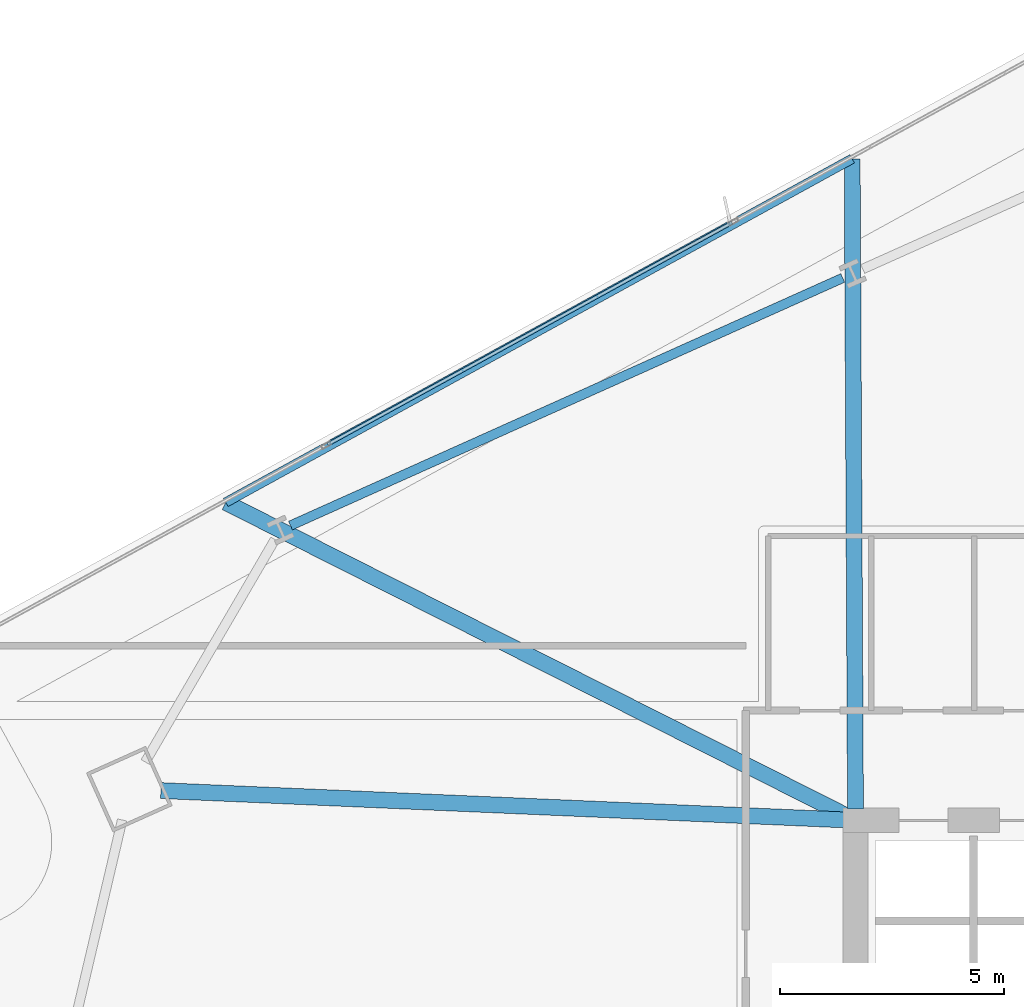
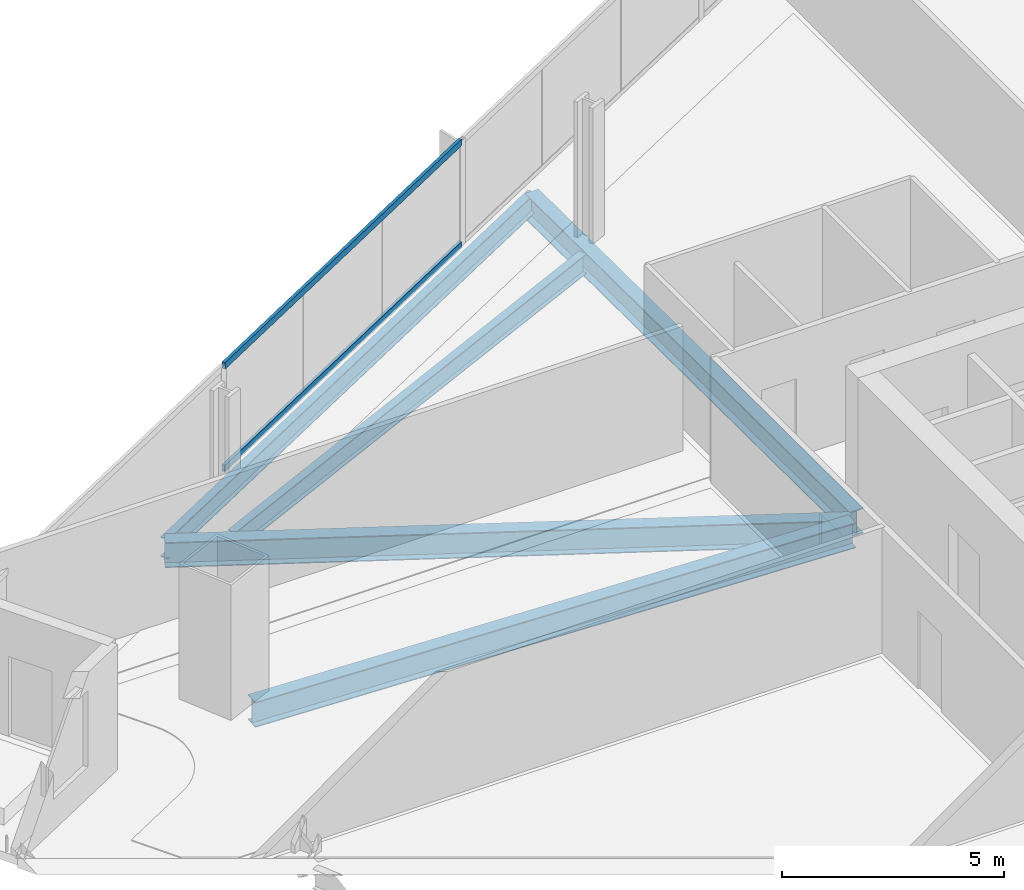
# One storey, part 15 of 33: 5 beams, 2 members, 1 element without a shape of its own.
"""IFC4 building model written with IfcOpenShell, lengths in metres."""

from ifc_helpers import new_model, si_unit, direction, frame, origin, origin_2d, place, context, subcontext, project, spatial, hollow_rectangle, i_section, extrude, material, material_profile, profile_set, type_object, element, aggregate, save


model = new_model("IFC4")

# Units and contexts
model_context = context("Model", 3, precision=1e-05, world=origin(), true_north=direction((0.0, 1.0)))
body_context = subcontext(model_context, "Body", "Model", "MODEL_VIEW")
ifc_project = project(units=[si_unit("LENGTHUNIT", "METRE"), si_unit("AREAUNIT", "SQUARE_METRE"), si_unit("VOLUMEUNIT", "CUBIC_METRE"), si_unit("PLANEANGLEUNIT", "RADIAN"), si_unit("MASSUNIT", "GRAM", prefix="KILO")], contexts=[model_context])

# Site, building, storey
site_placement = place(None, origin())
site = spatial("IfcSite", under=ifc_project, at=site_placement, CompositionType="ELEMENT")
building_placement = place(site_placement, origin())
building = spatial("IfcBuilding", under=site, at=building_placement, Name="Haldenkirk Collegiate Tower", CompositionType="ELEMENT")
storey_placement = place(building_placement, frame((0.0, 0.0, 124.199951171875)))
storey = spatial("IfcBuildingStorey", under=building, at=storey_placement, Name="L30", CompositionType="ELEMENT", Elevation=124.199951171875)

# Beams
ifc_material_1 = material(Name="Steel ASTM A992 Grade 50", Category="steel")
ifc_material_profile_1 = material_profile(ifc_material_1, i_section(OverallWidth=0.35498046875, OverallDepth=0.696044921875, WebThickness=0.015380859375, FlangeThickness=0.02490234375, at=origin_2d()), Name="W27X146")
ifc_profile_set_1 = profile_set([ifc_material_profile_1], Name="Steel ASTM A992 Grade 50")
beam_type_1 = type_object("IfcBeamType", Name="BM-GIRDER-W27X146", PredefinedType="BEAM", material=ifc_profile_set_1)
beam_1_placement = place(storey_placement, frame((11.489990234375, 34.6650390625, -0.64794921875), z_axis=(0.999082162822, -0.042834938212, 0.0), x_axis=(0.042834938212, 0.999082162822, 0.0)))
element("IfcBeam", 1, at=beam_1_placement, inside=storey, type_object=beam_type_1, Name="L30 primary floor girder 04", PredefinedType="BEAM", context=body_context, shape_type="SweptSolid", body=[
    extrude(i_section(OverallWidth=0.35498046875, OverallDepth=0.696044921875, WebThickness=0.015380859375, FlangeThickness=0.02490234375, at=origin_2d()), origin(), (0.0, 0.0, 1.0), 15.26904296875),
])
beam_2_placement = place(storey_placement, frame((26.9248046875, 48.77197265625, -0.64794921875), z_axis=(0.00509562521, -0.999987017218, 0.0), x_axis=(0.999987017218, 0.00509562521, 0.0)))
element("IfcBeam", 2, at=beam_2_placement, inside=storey, type_object=beam_type_1, Name="L30 primary floor girder 12", PredefinedType="BEAM", context=body_context, shape_type="SweptSolid", body=[
    extrude(i_section(OverallWidth=0.35498046875, OverallDepth=0.696044921875, WebThickness=0.015380859375, FlangeThickness=0.02490234375, at=origin_2d()), origin(), (0.0, 0.0, 1.0), 14.517333984375),
])
beam_3_placement = place(storey_placement, frame((12.93798828125, 41.0986328125, -0.64794921875), z_axis=(0.892706604889, -0.45063834456, 0.0), x_axis=(0.45063834456, 0.892706604889, 0.0)))
element("IfcBeam", 3, at=beam_3_placement, inside=storey, type_object=beam_type_1, Name="L30 primary floor girder 13", PredefinedType="BEAM", context=body_context, shape_type="SweptSolid", body=[
    extrude(i_section(OverallWidth=0.35498046875, OverallDepth=0.696044921875, WebThickness=0.015380859375, FlangeThickness=0.02490234375, at=origin_2d()), origin(), (0.0, 0.0, 1.0), 15.497314453125),
])
ifc_material_profile_2 = material_profile(ifc_material_1, i_section(OverallWidth=0.2119140625, OverallDepth=0.5439453125, WebThickness=0.01318359375, FlangeThickness=0.021240234375, at=origin_2d()), Name="W21X83")
ifc_profile_set_2 = profile_set([ifc_material_profile_2], Name="Steel ASTM A992 Grade 50")
beam_type_2 = type_object("IfcBeamType", Name="BM-SPANDREL-W21X83", PredefinedType="SPANDREL", material=ifc_profile_set_2)
beam_4_placement = place(storey_placement, frame((26.7138671875, 46.111083984375, -0.572021484375), z_axis=(-0.912476765144, -0.409128528793, 0.0), x_axis=(0.409128528793, -0.912476765144, 0.0)))
element("IfcBeam", 4, at=beam_4_placement, inside=storey, type_object=beam_type_2, Name="L30 perimeter spandrel beam 11", PredefinedType="SPANDREL", context=body_context, shape_type="SweptSolid", body=[
    extrude(i_section(OverallWidth=0.2119140625, OverallDepth=0.5439453125, WebThickness=0.01318359375, FlangeThickness=0.021240234375, at=origin_2d()), origin(), (0.0, 0.0, 1.0), 13.512939453125),
])
beam_5_placement = place(storey_placement, frame((26.9248046875, 48.77197265625, -0.572021484375), z_axis=(-0.876729145284, -0.480984413271, 0.0), x_axis=(0.480984413271, -0.876729145284, 0.0)))
element("IfcBeam", 5, at=beam_5_placement, inside=storey, type_object=beam_type_2, Name="L30 outer facade edge beam 3", PredefinedType="SPANDREL", context=body_context, shape_type="SweptSolid", body=[
    extrude(i_section(OverallWidth=0.2119140625, OverallDepth=0.5439453125, WebThickness=0.01318359375, FlangeThickness=0.021240234375, at=origin_2d()), origin(), (0.0, 0.0, 1.0), 15.953369140625),
])

# Curtain wall, members
ifc_material_2 = material(Name="Anodised architectural bronze aluminium", Category="aluminium")
curtain_wall_type = type_object("IfcCurtainWallType", Name="CW-SYS1-CONVEX-LOW", PredefinedType="USERDEFINED", material=ifc_material_2)
curtain_wall_placement = place(storey_placement, origin())
curtain_wall = element("IfcCurtainWall", 6, at=curtain_wall_placement, inside=storey, type_object=curtain_wall_type, Name="L30 Lower tower convex bronze-framed unitised curtain wall", ObjectType="UNITISED CURTAIN WALL", PredefinedType="USERDEFINED")
ifc_material_profile_3 = material_profile(ifc_material_2, hollow_rectangle(XDim=0.080078125, YDim=0.179931640625, WallThickness=0.0048828125, at=origin_2d()), Name="CW-TRN-1A")
ifc_profile_set_3 = profile_set([ifc_material_profile_3], Name="Anodised architectural bronze aluminium")
member_type = type_object("IfcMemberType", Name="CW-TRN-1A", PredefinedType="USERDEFINED", material=ifc_profile_set_3)
member_1_placement = place(storey_placement, frame((15.21728515625, 42.394775390625, 0.0400390625), z_axis=(0.876721120918, 0.480999039642, 0.0), x_axis=(-0.480999039642, 0.876721120918, 0.0)))
member_1 = element("IfcMember", 7, at=member_1_placement, type_object=member_type, Name="CW-1A transom 2.1", ObjectType="TRANSOM", PredefinedType="USERDEFINED", context=body_context, shape_type="SweptSolid", body=[
    extrude(hollow_rectangle(XDim=0.080078125, YDim=0.179931640625, WallThickness=0.0048828125, at=origin_2d()), origin(), (0.0, 0.0, 1.0), 10.294921875),
])
member_2_placement = place(storey_placement, frame((15.21728515625, 42.394775390625, 2.861083984375), z_axis=(0.876721120918, 0.480999039642, 0.0), x_axis=(-0.480999039642, 0.876721120918, 0.0)))
member_2 = element("IfcMember", 8, at=member_2_placement, type_object=member_type, Name="CW-1A transom 2.2", ObjectType="TRANSOM", PredefinedType="USERDEFINED", context=body_context, shape_type="SweptSolid", body=[
    extrude(hollow_rectangle(XDim=0.080078125, YDim=0.179931640625, WallThickness=0.0048828125, at=origin_2d()), origin(), (0.0, 0.0, 1.0), 10.294921875),
])
aggregate(curtain_wall, [member_1, member_2])

save(model, "model.ifc")
